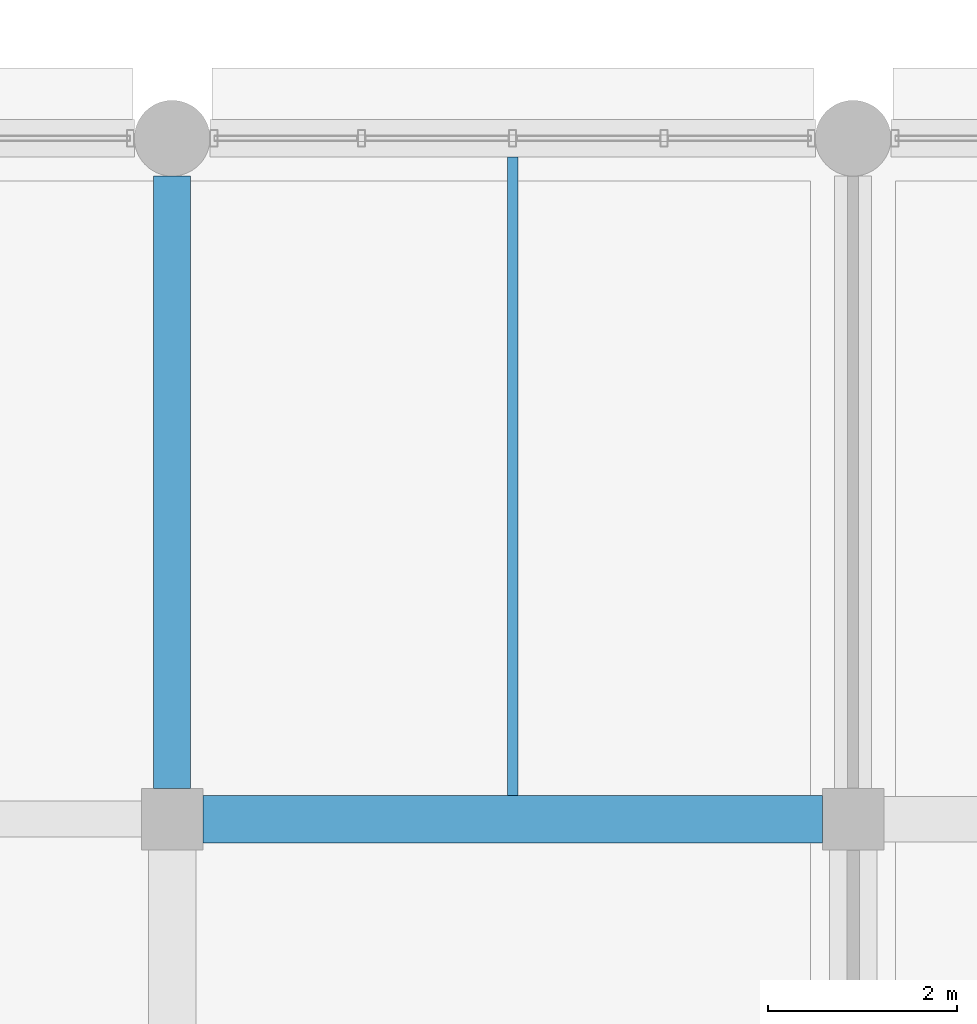
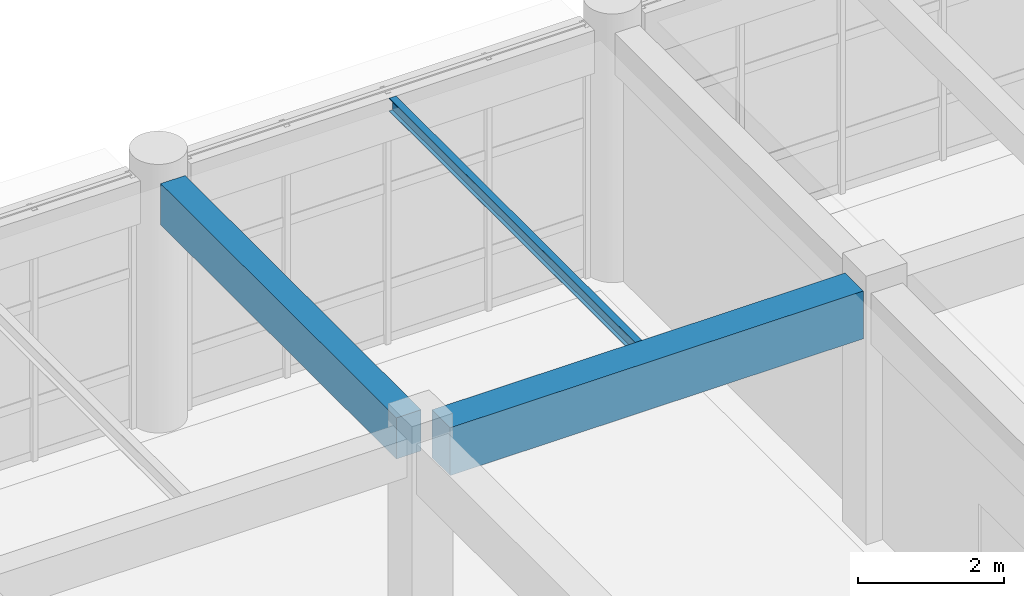
# One storey, part 58 of 171: 3 beams.
"""IFC4 building model written with IfcOpenShell, lengths in metres."""

from ifc_helpers import new_model, si_unit, direction, frame, origin, origin_2d, place, context, subcontext, project, spatial, rectangle, i_section, extrude, material, material_profile, profile_set, type_object, element, save


model = new_model("IFC4")

# Units and contexts
model_context = context("Model", 3, precision=1e-05, world=origin(), true_north=direction((0.0, 1.0)))
body_context = subcontext(model_context, "Body", "Model", "MODEL_VIEW")
ifc_project = project(units=[si_unit("LENGTHUNIT", "METRE"), si_unit("AREAUNIT", "SQUARE_METRE"), si_unit("VOLUMEUNIT", "CUBIC_METRE"), si_unit("PLANEANGLEUNIT", "RADIAN"), si_unit("MASSUNIT", "GRAM", prefix="KILO")], contexts=[model_context])

# Site, building, storey
site_placement = place(None, origin())
site = spatial("IfcSite", under=ifc_project, at=site_placement, CompositionType="ELEMENT")
building_placement = place(site_placement, origin())
building = spatial("IfcBuilding", under=site, at=building_placement, Name="Thalmaran Polytechnic", CompositionType="ELEMENT")
storey_placement = place(building_placement, frame((0.0, 0.0, 5.39990234375)))
storey = spatial("IfcBuildingStorey", under=building, at=storey_placement, Name="L01", CompositionType="ELEMENT", Elevation=5.39990234375)

# Beams
ifc_material_1 = material(Name="Concrete C40/50", Category="concrete")
ifc_material_profile_1 = material_profile(ifc_material_1, rectangle(XDim=0.5, YDim=0.800048828125, at=origin_2d()), Name="RC 500x800")
ifc_profile_set_1 = profile_set([ifc_material_profile_1], Name="Concrete C40/50")
beam_type_1 = type_object("IfcBeamType", Name="BM-RC02", PredefinedType="BEAM", material=ifc_profile_set_1)
beam_1_placement = place(storey_placement, frame((57.925048828125, 64.800048828125, 3.81005859375), z_axis=(1.0, 0.0, 0.0), x_axis=(0.0, 1.0, 0.0)))
element("IfcBeam", 1, at=beam_1_placement, inside=storey, type_object=beam_type_1, Name="Grid Beam B02 L01 X(8,9)", PredefinedType="BEAM", context=body_context, shape_type="SweptSolid", body=[
    extrude(rectangle(XDim=0.5, YDim=0.800048828125, at=origin_2d()), origin(), (0.0, 0.0, 1.0), 6.550048828125),
])
ifc_material_profile_2 = material_profile(ifc_material_1, rectangle(XDim=0.389892578125, YDim=0.68994140625, at=origin_2d()), Name="RC 390x690")
ifc_profile_set_2 = profile_set([ifc_material_profile_2], Name="Concrete C40/50")
beam_type_2 = type_object("IfcBeamType", Name="BM-RC09", PredefinedType="BEAM", material=ifc_profile_set_2)
beam_2_placement = place(storey_placement, frame((57.60009765625, 65.125, 3.864990234375), z_axis=(0.0, 1.0, 0.0), x_axis=(-1.0, 0.0, 0.0)))
element("IfcBeam", 2, at=beam_2_placement, inside=storey, type_object=beam_type_2, Name="Grid Beam B09 L01 Y(8,9)", PredefinedType="BEAM", context=body_context, shape_type="SweptSolid", body=[
    extrude(rectangle(XDim=0.389892578125, YDim=0.68994140625, at=origin_2d()), origin(), (0.0, 0.0, 1.0), 6.47509765625),
])
ifc_material_2 = material(Name="Steel S355", Category="steel")
ifc_material_profile_3 = material_profile(ifc_material_2, i_section(OverallWidth=0.110107421875, OverallDepth=0.219970703125, WebThickness=0.005859375, FlangeThickness=0.00927734375, at=origin_2d()), Name="IPE 220")
ifc_profile_set_3 = profile_set([ifc_material_profile_3], Name="Steel S355")
beam_type_3 = type_object("IfcBeamType", Name="BM-SJ04", PredefinedType="JOIST", material=ifc_profile_set_3)
beam_3_placement = place(storey_placement, frame((61.199951171875, 65.050048828125, 4.10009765625), z_axis=(0.0, 1.0, 0.0), x_axis=(-1.0, 0.0, 0.0)))
element("IfcBeam", 3, at=beam_3_placement, inside=storey, type_object=beam_type_3, Name="Secondary Floor Rib SJ04 L01 (8,9)", PredefinedType="JOIST", context=body_context, shape_type="SweptSolid", body=[
    extrude(i_section(OverallWidth=0.110107421875, OverallDepth=0.219970703125, WebThickness=0.005859375, FlangeThickness=0.00927734375, at=origin_2d()), origin(), (0.0, 0.0, 1.0), 6.75),
])

save(model, "model.ifc")
